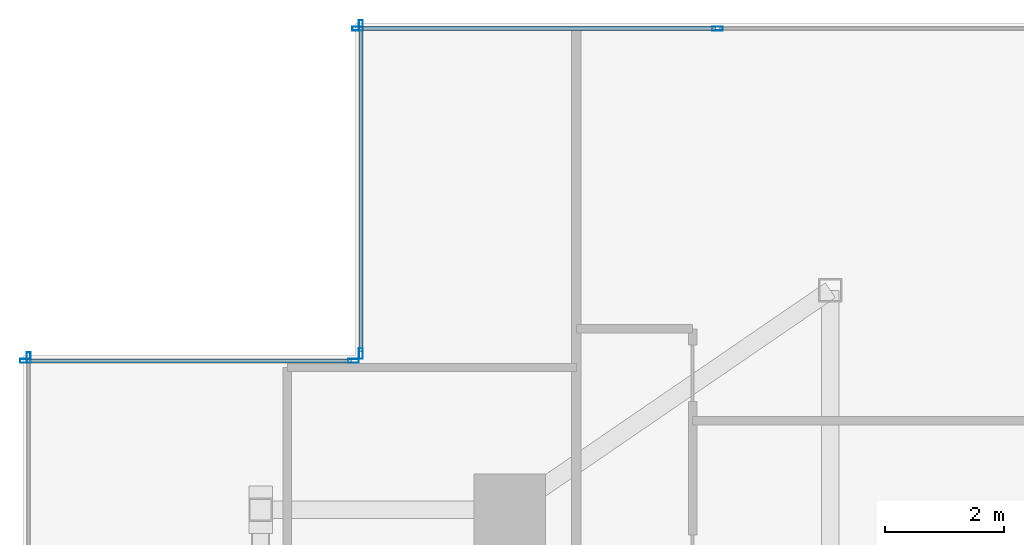
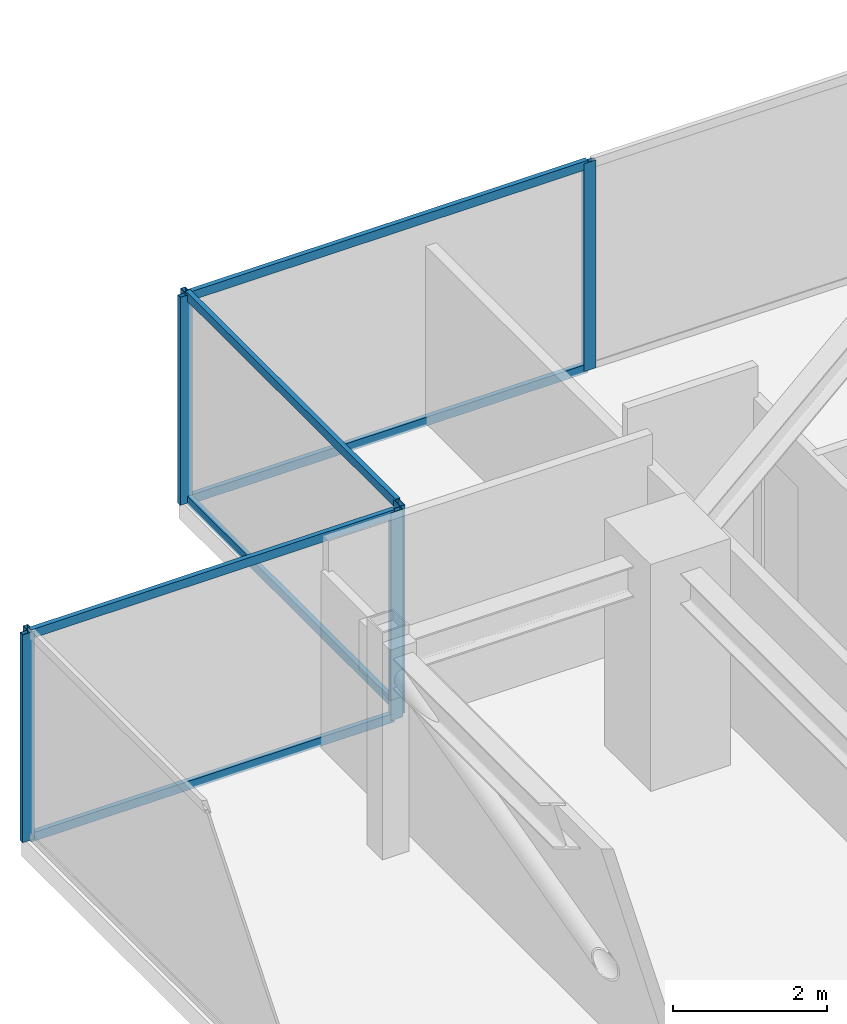
# One storey, part 19 of 25: 13 members, 4 elements without a shape of their own.
"""IFC4 building model written with IfcOpenShell, lengths in metres."""

import ifcopenshell
import ifcopenshell.guid

model = None  # the IFC model being written
_history = None  # IfcOwnerHistory: only IFC2X3 demands one
_inside = {}  # id of a spatial element -> (the spatial element, [elements in it])
_under = {}  # id of a project, library or spatial element -> (it, [spatial elements below it])
_declared = {}  # id of a project -> (the project, [libraries it declares])
_typed = {}  # id of a type object -> (the type object, [elements of that type])
_made_of = {}  # id of a material, layer set ... -> (it, [elements and type objects made of it])


def new_model(schema):
    """Start an empty IFC model of exactly this schema.

    Asked for "IFC4X3", IfcOpenShell would pick the latest addendum, in which some entities
    have other attributes; the version numbers below select the first issue.
    IFC2X3 requires an IfcOwnerHistory on every rooted entity: one is made here for all.
    """
    global model, _history
    if schema == "IFC4X3":
        model = ifcopenshell.file(schema_version=(4, 3, 0, 0))
    else:
        model = ifcopenshell.file(schema=schema)
    _inside.clear()
    _under.clear()
    _declared.clear()
    _typed.clear()
    _made_of.clear()
    _history = None
    if model.schema == "IFC2X3":
        org = make("IfcOrganization", Name="unknown")
        user = make(
            "IfcPersonAndOrganization",
            ThePerson=make("IfcPerson", FamilyName="unknown"),
            TheOrganization=org,
        )
        app = make(
            "IfcApplication",
            ApplicationDeveloper=org,
            Version="unknown",
            ApplicationFullName="unknown",
            ApplicationIdentifier="unknown",
        )
        _history = make(
            "IfcOwnerHistory",
            OwningUser=user,
            OwningApplication=app,
            ChangeAction="ADDED",
            CreationDate=0,
        )
    return model


def make(cls, **values):
    """One entity of the class cls with the attributes given. An attribute that is None is left unset."""
    return model.create_entity(
        cls, **{name: value for name, value in values.items() if value is not None}
    )


def rooted(cls, **values):
    """An entity with a GlobalId (a new one), such as an element, a storey or a relation."""
    return make(cls, GlobalId=ifcopenshell.guid.new(), OwnerHistory=_history, **values)


def si_unit(unit_type, name, prefix=None):
    """IfcSIUnit, for example si_unit("LENGTHUNIT", "METRE", prefix="MILLI")."""
    return make("IfcSIUnit", UnitType=unit_type, Prefix=prefix, Name=name)


def assignment(units):
    """IfcUnitAssignment: the units of a project."""
    return None if units is None else make("IfcUnitAssignment", Units=units)


def point(xyz):
    """IfcCartesianPoint."""
    return None if xyz is None else make("IfcCartesianPoint", Coordinates=xyz)


def direction(xyz):
    """IfcDirection."""
    return None if xyz is None else make("IfcDirection", DirectionRatios=xyz)


def frame(location, z_axis=None, x_axis=None):
    """IfcAxis2Placement3D, a coordinate frame: its origin and axes. An axis left out is left unset."""
    return make(
        "IfcAxis2Placement3D",
        Location=point(location),
        Axis=direction(z_axis),
        RefDirection=direction(x_axis),
    )


def frame_2d(location, x_axis=None):
    """IfcAxis2Placement2D, a coordinate frame in the plane: its origin and x axis."""
    return make(
        "IfcAxis2Placement2D", Location=point(location), RefDirection=direction(x_axis)
    )


def origin():
    """The frame at (0, 0, 0) with its axes left unset."""
    return frame((0.0, 0.0, 0.0))


def origin_2d():
    """The frame at (0, 0) in the plane with its x axis left unset."""
    return frame_2d((0.0, 0.0))


def place(relative_to, where):
    """IfcLocalPlacement: puts the frame where relative to a parent placement (None: the world)."""
    return make(
        "IfcLocalPlacement", PlacementRelTo=relative_to, RelativePlacement=where
    )


def context(
    kind, dimensions, precision=None, world=None, true_north=None, identifier=None
):
    """IfcGeometricRepresentationContext, for example the 3D "Model" context."""
    return make(
        "IfcGeometricRepresentationContext",
        ContextIdentifier=identifier,
        ContextType=kind,
        CoordinateSpaceDimension=dimensions,
        Precision=precision,
        WorldCoordinateSystem=world,
        TrueNorth=true_north,
    )


def subcontext(parent, identifier, kind, view, scale=None):
    """IfcGeometricRepresentationSubContext, for example "Body" below "Model"."""
    return make(
        "IfcGeometricRepresentationSubContext",
        ContextIdentifier=identifier,
        ContextType=kind,
        ParentContext=parent,
        TargetScale=scale,
        TargetView=view,
    )


def project(units=None, contexts=None):
    """IfcProject with its units and contexts."""
    return rooted(
        "IfcProject",
        Name="project",
        RepresentationContexts=contexts,
        UnitsInContext=assignment(units),
    )


def spatial(cls, under=None, at=None, **own):
    """A site, building, storey or space (cls), placed at a placement, below another one or the project."""
    s = rooted(cls, ObjectPlacement=at, **own)
    if under is not None:
        _under.setdefault(under.id(), (under, []))[1].append(s)
    return s


def profile(cls, at=None, kind="AREA", **sizes):
    """A parametric profile (cls). Its sizes go by their IFC names, for example OverallWidth=200.0."""
    return make(cls, ProfileType=kind, Position=at, **sizes)


def hollow_rectangle(**sizes):
    """IfcRectangleHollowProfileDef."""
    return profile("IfcRectangleHollowProfileDef", **sizes)


def extrude(swept, where, along, depth):
    """IfcExtrudedAreaSolid: the profile swept, set in the frame where, extruded along a direction by depth."""
    return make(
        "IfcExtrudedAreaSolid",
        SweptArea=swept,
        Position=where,
        ExtrudedDirection=direction(along),
        Depth=depth,
    )


def shape(context_of_items, identifier, shape_type, items):
    """IfcShapeRepresentation: the items that make up one representation, for example the "Body"."""
    return make(
        "IfcShapeRepresentation",
        ContextOfItems=context_of_items,
        RepresentationIdentifier=identifier,
        RepresentationType=shape_type,
        Items=items,
    )


def source(mapping_origin, context_of_items, identifier, shape_type, items):
    """IfcRepresentationMap: a shape defined once, which mapped items show again and again."""
    return make(
        "IfcRepresentationMap",
        MappingOrigin=mapping_origin,
        MappedRepresentation=shape(context_of_items, identifier, shape_type, items),
    )


def transform(
    local_origin,
    x_axis=None,
    y_axis=None,
    z_axis=None,
    scale=None,
    scale2=None,
    scale3=None,
    uniform=True,
):
    """IfcCartesianTransformationOperator3D, or its non-uniform kind. x_axis, y_axis, z_axis: its Axis1, 2, 3."""
    if uniform:
        return make(
            "IfcCartesianTransformationOperator3D",
            Axis1=direction(x_axis),
            Axis2=direction(y_axis),
            LocalOrigin=point(local_origin),
            Scale=scale,
            Axis3=direction(z_axis),
        )
    return make(
        "IfcCartesianTransformationOperator3DnonUniform",
        Axis1=direction(x_axis),
        Axis2=direction(y_axis),
        LocalOrigin=point(local_origin),
        Scale=scale,
        Axis3=direction(z_axis),
        Scale2=scale2,
        Scale3=scale3,
    )


def mapped(mapping_source, mapping_target):
    """IfcMappedItem: shows the shape of a source again, moved by a transform."""
    return make(
        "IfcMappedItem", MappingSource=mapping_source, MappingTarget=mapping_target
    )


def material(Name=None, Category=None):
    """IfcMaterial."""
    return make("IfcMaterial", Name=Name, Category=Category)


def material_profile(
    of_material, cross_section, Name=None, Category=None, Priority=None
):
    """IfcMaterialProfile: a cross section and its material."""
    return make(
        "IfcMaterialProfile",
        Name=Name,
        Material=of_material,
        Profile=cross_section,
        Priority=Priority,
        Category=Category,
    )


def profile_set(profiles, Name=None, composite=None):
    """IfcMaterialProfileSet."""
    return make(
        "IfcMaterialProfileSet",
        Name=Name,
        MaterialProfiles=profiles,
        CompositeProfile=composite,
    )


def made_of(thing, what):
    """Note that an element or type object is made of a material, layer set ...; save() writes the relation."""
    if what is not None:
        _made_of.setdefault(what.id(), (what, []))[1].append(thing)
    return thing


def type_object(cls, material=None, **own):
    """A type object (cls), such as IfcWallType, which elements share."""
    return made_of(rooted(cls, **own), material)


def type_shapes(of_type, sources):
    """Give a type object the sources (RepresentationMaps) that its elements show as mapped items."""
    of_type.RepresentationMaps = sources


def element(
    cls,
    number,
    at=None,
    inside=None,
    cuts=None,
    type_object=None,
    material=None,
    context=None,
    identifier="Body",
    shape_type=None,
    held_by="IfcProductDefinitionShape",
    body=None,
    shapes=None,
    **own,
):
    """One element of the class cls, such as IfcWall. Its Tag is "e" and its number.

    at: its placement. inside: the storey or other place that contains it. cuts: it is an
    opening in that element (IfcRelVoidsElement). A single representation is given by context,
    identifier, shape_type and body (its items); several are given by shapes. held_by: the class
    of the entity that holds the representations. save() writes the other relations.
    """
    e = rooted(cls, Tag="e%d" % number, ObjectPlacement=at, **own)
    if body is not None:
        shapes = [shape(context, identifier, shape_type, body)]
    if shapes is not None:
        e.Representation = make(held_by, Representations=shapes)
    if inside is not None:
        _inside.setdefault(inside.id(), (inside, []))[1].append(e)
    if cuts is not None:
        rooted(
            "IfcRelVoidsElement", RelatingBuildingElement=cuts, RelatedOpeningElement=e
        )
    if type_object is not None:
        _typed.setdefault(type_object.id(), (type_object, []))[1].append(e)
    return made_of(e, material)


def aggregate(whole, parts):
    """IfcRelAggregates: a whole, such as a stair, and the parts it consists of."""
    return rooted("IfcRelAggregates", RelatingObject=whole, RelatedObjects=parts)


def save(model, path):
    """Write the relations noted so far, then the file.

    IfcRelAggregates (storeys below a building ...), IfcRelContainedInSpatialStructure (elements
    in a storey), IfcRelDefinesByType, IfcRelAssociatesMaterial and IfcRelDeclares: one each for
    every whole, place, type object, material and project.
    """
    for whole, parts in _under.values():
        aggregate(whole, parts)
    for where, things in _inside.values():
        rooted(
            "IfcRelContainedInSpatialStructure",
            RelatedElements=things,
            RelatingStructure=where,
        )
    for kind, things in _typed.values():
        rooted("IfcRelDefinesByType", RelatedObjects=things, RelatingType=kind)
    for what, things in _made_of.values():
        rooted("IfcRelAssociatesMaterial", RelatedObjects=things, RelatingMaterial=what)
    for by, libraries in _declared.values():
        rooted("IfcRelDeclares", RelatingContext=by, RelatedDefinitions=libraries)
    model.write(path)


model = new_model("IFC4")

# Units and contexts
model_context = context("Model", 3, precision=1e-05, world=origin(), true_north=direction((0.0, 1.0)))
body_context = subcontext(model_context, "Body", "Model", "MODEL_VIEW")
ifc_project = project(units=[si_unit("LENGTHUNIT", "METRE"), si_unit("AREAUNIT", "SQUARE_METRE"), si_unit("VOLUMEUNIT", "CUBIC_METRE"), si_unit("PLANEANGLEUNIT", "RADIAN"), si_unit("MASSUNIT", "GRAM", prefix="KILO")], contexts=[model_context])

# Site, building, storey
site_placement = place(None, origin())
site = spatial("IfcSite", under=ifc_project, at=site_placement, CompositionType="ELEMENT")
building_placement = place(site_placement, origin())
building = spatial("IfcBuilding", under=site, at=building_placement, Name="Krantzveldt Concourse Tower", CompositionType="ELEMENT")
storey_placement = place(building_placement, frame((0.0, 0.0, 374.64990234375)))
storey = spatial("IfcBuildingStorey", under=building, at=storey_placement, Name="L92", CompositionType="ELEMENT", Elevation=374.64990234375)

# Curtain wall, members
ifc_material = material(Name="Anodised aluminium 6063-T6", Category="aluminium")
curtain_wall_type = type_object("IfcCurtainWallType", Name="CW7", PredefinedType="USERDEFINED", material=ifc_material)
curtain_wall_1_placement = place(storey_placement, origin())
curtain_wall_1 = element("IfcCurtainWall", 1, at=curtain_wall_1_placement, inside=storey, type_object=curtain_wall_type, Name="CW-L92-WEST-03", ObjectType="UNITISED CURTAIN WALL", PredefinedType="USERDEFINED")
ifc_material_profile_1 = material_profile(ifc_material, hollow_rectangle(XDim=0.070068359375, YDim=0.139892578125, WallThickness=0.0048828125, at=origin_2d()), Name="Anodised aluminium 6063-T6", Category="aluminium")
ifc_profile_set_1 = profile_set([ifc_material_profile_1], Name="Anodised aluminium 6063-T6 - ALU-TRAN 140x70x5")
member_type_1 = type_object("IfcMemberType", Name="CW-TRN-150", PredefinedType="USERDEFINED", material=ifc_profile_set_1)
shared_shape_1 = source(origin(), body_context, "Body", "SweptSolid", [
    extrude(hollow_rectangle(XDim=0.070068359375, YDim=0.139892578125, WallThickness=0.0048828125, at=origin_2d()), origin(), (0.0, 0.0, 1.0), 5.4599609375),
])
member_1_placement = place(storey_placement, frame((22.68994140625, 45.6298828125, 0.03515625), z_axis=(0.0, -1.0, 0.0), x_axis=(1.0, 0.0, 0.0)))
member_1 = element("IfcMember", 2, at=member_1_placement, type_object=member_type_1, Name="CW-CRN transom 1.1", ObjectType="TRANSOM", PredefinedType="USERDEFINED", context=body_context, shape_type="MappedRepresentation", body=[
    mapped(shared_shape_1, transform((0.0, 0.0, 0.0), x_axis=(1.0, 0.0, 0.0), y_axis=(0.0, 1.0, 0.0), z_axis=(0.0, 0.0, 1.0), scale=1.0)),
])
member_2_placement = place(storey_placement, frame((22.68994140625, 45.6298828125, 3.26513671875), z_axis=(0.0, -1.0, 0.0), x_axis=(1.0, 0.0, 0.0)))
member_2 = element("IfcMember", 3, at=member_2_placement, type_object=member_type_1, Name="CW-CRN transom 1.2", ObjectType="TRANSOM", PredefinedType="USERDEFINED", context=body_context, shape_type="MappedRepresentation", body=[
    mapped(shared_shape_1, transform((0.0, 0.0, 0.0), x_axis=(1.0, 0.0, 0.0), y_axis=(0.0, 1.0, 0.0), z_axis=(0.0, 0.0, 1.0), scale=1.0)),
])

curtain_wall_2_placement = place(storey_placement, origin())
curtain_wall_2 = element("IfcCurtainWall", 4, at=curtain_wall_2_placement, inside=storey, type_object=curtain_wall_type, Name="CW-L92-WEST-04", ObjectType="UNITISED CURTAIN WALL", PredefinedType="USERDEFINED")
member_3_placement = place(storey_placement, frame((22.530029296875, 40.010009765625, 0.03515625), z_axis=(-1.0, 0.0, 0.0), x_axis=(0.0, -1.0, 0.0)))
member_3 = element("IfcMember", 5, at=member_3_placement, type_object=member_type_1, Name="CW-CRN transom 1.1", ObjectType="TRANSOM", PredefinedType="USERDEFINED", context=body_context, shape_type="MappedRepresentation", body=[
    mapped(shared_shape_1, transform((0.0, 0.0, 0.0), x_axis=(1.0, 0.0, 0.0), y_axis=(0.0, 1.0, 0.0), z_axis=(0.0, 0.0, 1.0), scale=1.0)),
])
member_4_placement = place(storey_placement, frame((22.530029296875, 40.010009765625, 3.26513671875), z_axis=(-1.0, 0.0, 0.0), x_axis=(0.0, -1.0, 0.0)))
member_4 = element("IfcMember", 6, at=member_4_placement, type_object=member_type_1, Name="CW-CRN transom 1.2", ObjectType="TRANSOM", PredefinedType="USERDEFINED", context=body_context, shape_type="MappedRepresentation", body=[
    mapped(shared_shape_1, transform((0.0, 0.0, 0.0), x_axis=(1.0, 0.0, 0.0), y_axis=(0.0, 1.0, 0.0), z_axis=(0.0, 0.0, 1.0), scale=1.0)),
])

curtain_wall_3_placement = place(storey_placement, origin())
curtain_wall_3 = element("IfcCurtainWall", 7, at=curtain_wall_3_placement, inside=storey, type_object=curtain_wall_type, Name="CW-L92-WEST-02", ObjectType="UNITISED CURTAIN WALL", PredefinedType="USERDEFINED")
shared_shape_2 = source(origin(), body_context, "Body", "SweptSolid", [
    extrude(hollow_rectangle(XDim=0.070068359375, YDim=0.139892578125, WallThickness=0.0048828125, at=origin_2d()), origin(), (0.0, 0.0, 1.0), 5.9951171875),
])
type_shapes(member_type_1, [shared_shape_1, shared_shape_2])
member_5_placement = place(storey_placement, frame((28.6650390625, 45.610107421875, 0.03515625), z_axis=(-1.0, 0.0, 0.0), x_axis=(0.0, -1.0, 0.0)))
member_5 = element("IfcMember", 8, at=member_5_placement, type_object=member_type_1, Name="CW-CRN transom 2.1", ObjectType="TRANSOM", PredefinedType="USERDEFINED", context=body_context, shape_type="MappedRepresentation", body=[
    mapped(shared_shape_2, transform((0.0, 0.0, 0.0), x_axis=(1.0, 0.0, 0.0), y_axis=(0.0, 1.0, 0.0), z_axis=(0.0, 0.0, 1.0), scale=1.0)),
])
member_6_placement = place(storey_placement, frame((28.6650390625, 45.610107421875, 3.26513671875), z_axis=(-1.0, 0.0, 0.0), x_axis=(0.0, -1.0, 0.0)))
member_6 = element("IfcMember", 9, at=member_6_placement, type_object=member_type_1, Name="CW-CRN transom 2.2", ObjectType="TRANSOM", PredefinedType="USERDEFINED", context=body_context, shape_type="MappedRepresentation", body=[
    mapped(shared_shape_2, transform((0.0, 0.0, 0.0), x_axis=(1.0, 0.0, 0.0), y_axis=(0.0, 1.0, 0.0), z_axis=(0.0, 0.0, 1.0), scale=1.0)),
])
ifc_material_profile_2 = material_profile(ifc_material, hollow_rectangle(XDim=0.070068359375, YDim=0.179931640625, WallThickness=0.0048828125, at=origin_2d()), Name="Anodised aluminium 6063-T6", Category="aluminium")
ifc_profile_set_2 = profile_set([ifc_material_profile_2], Name="Anodised aluminium 6063-T6 - ALU-MULL 180x70x5")
member_type_2 = type_object("IfcMemberType", Name="CW-MUL-180", PredefinedType="MULLION", material=ifc_profile_set_2)
shared_shape_3 = source(origin(), body_context, "Body", "SweptSolid", [
    extrude(hollow_rectangle(XDim=0.070068359375, YDim=0.179931640625, WallThickness=0.0048828125, at=origin_2d()), origin(), (0.0, 0.0, 1.0), 3.300048828125),
])
type_shapes(member_type_2, [shared_shape_3])
member_7_placement = place(storey_placement, frame((28.699951171875, 45.610107421875, 0.0), z_axis=(0.0, 0.0, 1.0), x_axis=(0.0, -1.0, 0.0)))
member_7 = element("IfcMember", 10, at=member_7_placement, type_object=member_type_2, Name="CW-CRN mullion 2", PredefinedType="MULLION", context=body_context, shape_type="MappedRepresentation", body=[
    mapped(shared_shape_3, transform((0.0, 0.0, 0.0), x_axis=(1.0, 0.0, 0.0), y_axis=(0.0, 1.0, 0.0), z_axis=(0.0, 0.0, 1.0), scale=1.0)),
])
member_8_placement = place(storey_placement, frame((22.635009765625, 45.610107421875, 0.0), z_axis=(0.0, 0.0, 1.0), x_axis=(0.0, -1.0, 0.0)))
member_8 = element("IfcMember", 11, at=member_8_placement, type_object=member_type_2, Name="CW-CRN mullion 3", PredefinedType="MULLION", context=body_context, shape_type="MappedRepresentation", body=[
    mapped(shared_shape_3, transform((0.0, 0.0, 0.0), x_axis=(1.0, 0.0, 0.0), y_axis=(0.0, 1.0, 0.0), z_axis=(0.0, 0.0, 1.0), scale=1.0)),
])
aggregate(curtain_wall_3, [member_7, member_8, member_5, member_6])

# Member
member_9_placement = place(storey_placement, frame((22.68994140625, 45.6650390625, 0.0), z_axis=(0.0, 0.0, 1.0), x_axis=(1.0, 0.0, 0.0)))
member_9 = element("IfcMember", 12, at=member_9_placement, type_object=member_type_2, Name="CW-CRN mullion 1", PredefinedType="MULLION", context=body_context, shape_type="MappedRepresentation", body=[
    mapped(shared_shape_3, transform((0.0, 0.0, 0.0), x_axis=(1.0, 0.0, 0.0), y_axis=(0.0, 1.0, 0.0), z_axis=(0.0, 0.0, 1.0), scale=1.0)),
])

member_10_placement = place(storey_placement, frame((22.68994140625, 40.135009765625, 0.0), z_axis=(0.0, 0.0, 1.0), x_axis=(1.0, 0.0, 0.0)))
member_10 = element("IfcMember", 13, at=member_10_placement, type_object=member_type_2, Name="CW-CRN mullion 2", PredefinedType="MULLION", context=body_context, shape_type="MappedRepresentation", body=[
    mapped(shared_shape_3, transform((0.0, 0.0, 0.0), x_axis=(1.0, 0.0, 0.0), y_axis=(0.0, 1.0, 0.0), z_axis=(0.0, 0.0, 1.0), scale=1.0)),
])

aggregate(curtain_wall_1, [member_9, member_10, member_1, member_2])

member_11_placement = place(storey_placement, frame((22.56494140625, 40.010009765625, 0.0), z_axis=(0.0, 0.0, 1.0), x_axis=(0.0, -1.0, 0.0)))
member_11 = element("IfcMember", 14, at=member_11_placement, type_object=member_type_2, Name="CW-CRN mullion 1", PredefinedType="MULLION", context=body_context, shape_type="MappedRepresentation", body=[
    mapped(shared_shape_3, transform((0.0, 0.0, 0.0), x_axis=(1.0, 0.0, 0.0), y_axis=(0.0, 1.0, 0.0), z_axis=(0.0, 0.0, 1.0), scale=1.0)),
])

member_12_placement = place(storey_placement, frame((17.034912109375, 40.010009765625, 0.0), z_axis=(0.0, 0.0, 1.0), x_axis=(0.0, -1.0, 0.0)))
member_12 = element("IfcMember", 15, at=member_12_placement, type_object=member_type_2, Name="CW-CRN mullion 2", PredefinedType="MULLION", context=body_context, shape_type="MappedRepresentation", body=[
    mapped(shared_shape_3, transform((0.0, 0.0, 0.0), x_axis=(1.0, 0.0, 0.0), y_axis=(0.0, 1.0, 0.0), z_axis=(0.0, 0.0, 1.0), scale=1.0)),
])

aggregate(curtain_wall_2, [member_11, member_12, member_3, member_4])

# Curtain wall, member
curtain_wall_4_placement = place(storey_placement, origin())
curtain_wall_4 = element("IfcCurtainWall", 16, at=curtain_wall_4_placement, inside=storey, type_object=curtain_wall_type, Name="CW-L92-WEST-05", ObjectType="UNITISED CURTAIN WALL", PredefinedType="USERDEFINED")
member_13_placement = place(storey_placement, frame((17.090087890625, 40.06494140625, 0.0), z_axis=(0.0, 0.0, 1.0), x_axis=(1.0, 0.0, 0.0)))
member_13 = element("IfcMember", 17, at=member_13_placement, type_object=member_type_2, Name="CW-CRN mullion 1", PredefinedType="MULLION", context=body_context, shape_type="MappedRepresentation", body=[
    mapped(shared_shape_3, transform((0.0, 0.0, 0.0), x_axis=(1.0, 0.0, 0.0), y_axis=(0.0, 1.0, 0.0), z_axis=(0.0, 0.0, 1.0), scale=1.0)),
])
aggregate(curtain_wall_4, [member_13])

save(model, "model.ifc")
